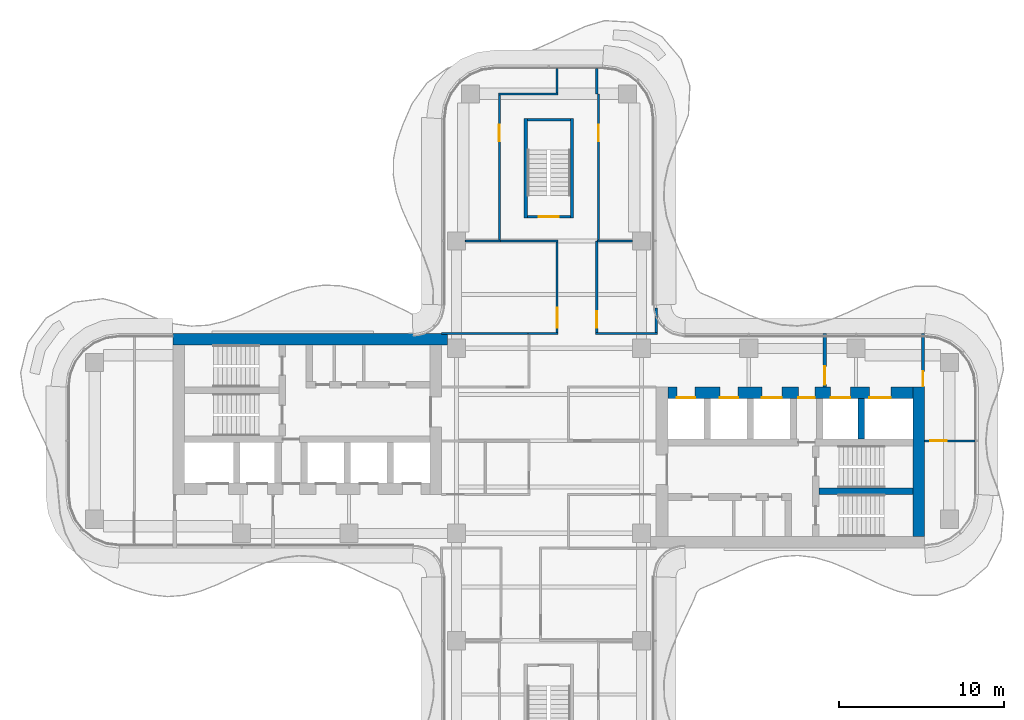
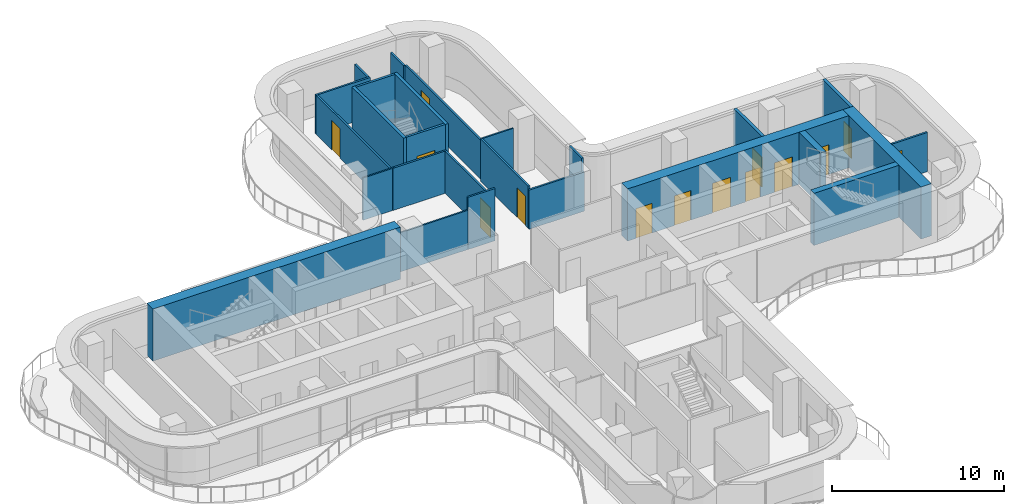
# One storey, part 14 of 17: 26 walls, 14 doors, 14 openings.
"""IFC4 building model written with IfcOpenShell, lengths in metres."""

from ifc_helpers import new_model, si_unit, direction, frame, frame_2d, origin, place, context, subcontext, project, spatial, rectangle, extrude, source, transform, mapped, material, layer, layer_set, type_object, element, fill, save


model = new_model("IFC4")

# Units and contexts
model_context = context("Model", 3, precision=1e-05, world=origin(), true_north=direction((0.0, 1.0)))
body_context = subcontext(model_context, "Body", "Model", "MODEL_VIEW")
ifc_project = project(units=[si_unit("LENGTHUNIT", "METRE"), si_unit("AREAUNIT", "SQUARE_METRE"), si_unit("VOLUMEUNIT", "CUBIC_METRE"), si_unit("PLANEANGLEUNIT", "RADIAN"), si_unit("MASSUNIT", "GRAM", prefix="KILO")], contexts=[model_context])

# Site, building, storey
site_placement = place(None, origin())
site = spatial("IfcSite", under=ifc_project, at=site_placement, CompositionType="ELEMENT")
building_placement = place(site_placement, origin())
building = spatial("IfcBuilding", under=site, at=building_placement, Name="Trellis Farm Tower", CompositionType="ELEMENT")
storey_placement = place(building_placement, frame((0.0, 0.0, 236.300048828125)))
storey = spatial("IfcBuildingStorey", under=building, at=storey_placement, Name="L52", CompositionType="ELEMENT", Elevation=236.300048828125)

# Walls
ifc_material_1 = material(Name="Concrete C60/75", Category="concrete")
ifc_layer_1 = layer(ifc_material_1, 0.699951171875)
ifc_layer_set_1 = layer_set([ifc_layer_1], Name="CORE OUTER WALL 700 CONCRETE C60/75")
wall_type_1 = type_object("IfcWallType", Name="CORE OUTER WALL 700 CONCRETE C60/75", PredefinedType="SHEAR", material=ifc_layer_set_1)
shared_shape_1 = source(origin(), body_context, "Body", "SweptSolid", [
    extrude(rectangle(XDim=9.050048828125, YDim=0.699951171875, at=frame_2d((4.52490234375, 0.0))), origin(), (0.0, 0.0, 1.0), 3.699951171875),
])
wall_1_placement = place(storey_placement, frame((22.39990234375, -5.800048828125, 0.0), z_axis=(0.0, 0.0, 1.0), x_axis=(0.0, 1.0, 0.0)))
element("IfcWall", 1, at=wall_1_placement, inside=storey, type_object=wall_type_1, Name="Core wall", PredefinedType="SHEAR", context=body_context, shape_type="MappedRepresentation", body=[
    mapped(shared_shape_1, transform((0.0, 0.0, 0.0))),
])
ifc_layer_2 = layer(ifc_material_1, 0.39990234375)
ifc_layer_set_2 = layer_set([ifc_layer_2], Name="CORE INNER WALL 400 CONCRETE C60/75")
wall_type_2 = type_object("IfcWallType", Name="CORE INNER WALL 400 CONCRETE C60/75", PredefinedType="SHEAR", material=ifc_layer_set_2)
shared_shape_2 = source(origin(), body_context, "Body", "SweptSolid", [
    extrude(rectangle(XDim=2.449951171875, YDim=0.39990234375, at=frame_2d((1.22509765625, 0.0))), origin(), (0.0, 0.0, 1.0), 3.699951171875),
])
wall_2_placement = place(storey_placement, frame((18.89990234375, 0.10009765625, 0.0), z_axis=(0.0, 0.0, 1.0), x_axis=(0.0, 1.0, 0.0)))
element("IfcWall", 2, at=wall_2_placement, inside=storey, type_object=wall_type_2, Name="Core wall", PredefinedType="SHEAR", context=body_context, shape_type="MappedRepresentation", body=[
    mapped(shared_shape_2, transform((0.0, 0.0, 0.0))),
])

# Wall, opening, door
ifc_material_2 = material(Name="Masonry blockwork", Category="masonry")
ifc_layer_3 = layer(ifc_material_2, 0.199951171875)
ifc_layer_set_3 = layer_set([ifc_layer_3], Name="FIRE LOBBY PARTITION 200 BLOCKWORK")
wall_type_3 = type_object("IfcWallType", Name="FIRE LOBBY PARTITION 200 BLOCKWORK", PredefinedType="PARTITIONING", material=ifc_layer_set_3)
shared_shape_3 = source(origin(), body_context, "Body", "SweptSolid", [
    extrude(rectangle(XDim=3.25, YDim=0.199951171875, at=frame_2d((1.625, 0.0))), origin(), (0.0, 0.0, 1.0), 3.699951171875),
])
wall_3_placement = place(storey_placement, frame((16.699951171875, 3.25, 0.0), z_axis=(0.0, 0.0, 1.0), x_axis=(0.0, 1.0, 0.0)))
wall_3 = element("IfcWall", 3, at=wall_3_placement, inside=storey, type_object=wall_type_3, Name="Fire-fighting lobby partition", PredefinedType="PARTITIONING", context=body_context, shape_type="MappedRepresentation", body=[
    mapped(shared_shape_3, transform((0.0, 0.0, 0.0))),
])
shared_shape_4 = source(origin(), body_context, "Body", "SweptSolid", [
    extrude(rectangle(XDim=1.10009765625, YDim=2.10009765625, at=frame_2d((0.550048828125, 1.050048828125))), frame((0.0, 0.110107421875, 0.0), z_axis=(0.0, -1.0, 0.0), x_axis=(1.0, 0.0, 0.0)), (0.0, 0.0, 1.0), 0.22021484375),
])
opening_1_placement = place(wall_3_placement, frame((0.14990234375, 0.0, 0.0)))
opening_1 = element("IfcOpeningElement", 4, at=opening_1_placement, cuts=wall_3, Name="Opening DC7", PredefinedType="OPENING", context=body_context, shape_type="MappedRepresentation", body=[
    mapped(shared_shape_4, transform((0.0, 0.0, 0.0))),
])
ifc_material_3 = material(Name="Steel", Category="steel")
door_type_1 = type_object("IfcDoorType", Name="CORE FIRE DOOR 1100 X 2100", OperationType="NOTDEFINED", PredefinedType="DOOR", material=ifc_material_3)
shared_shape_5 = source(origin(), body_context, "Body", "SweptSolid", [
    extrude(rectangle(XDim=1.10009765625, YDim=2.10009765625, at=frame_2d((0.550048828125, 1.050048828125))), frame((0.0, 0.02490234375, 0.0), z_axis=(0.0, -1.0, 0.0), x_axis=(1.0, 0.0, 0.0)), (0.0, 0.0, 1.0), 0.050048828125),
])
door_1_placement = place(opening_1_placement, origin())
door_1 = element("IfcDoor", 5, at=door_1_placement, inside=storey, type_object=door_type_1, Name="Core door", OperationType="SINGLE_SWING_RIGHT", OverallHeight=2.10009765625, OverallWidth=1.10009765625, PredefinedType="DOOR", context=body_context, shape_type="MappedRepresentation", body=[
    mapped(shared_shape_5, transform((0.0, 0.0, 0.0))),
])
fill(opening_1, door_1)

wall_4_placement = place(storey_placement, frame((22.64990234375, 3.25, 0.0), z_axis=(0.0, 0.0, 1.0), x_axis=(0.0, 1.0, 0.0)))
wall_4 = element("IfcWall", 6, at=wall_4_placement, inside=storey, type_object=wall_type_3, Name="Fire-fighting lobby partition", PredefinedType="PARTITIONING", context=body_context, shape_type="MappedRepresentation", body=[
    mapped(shared_shape_3, transform((0.0, 0.0, 0.0))),
])
shared_shape_6 = source(origin(), body_context, "Body", "SweptSolid", [
    extrude(rectangle(XDim=0.89990234375, YDim=2.10009765625, at=frame_2d((0.449951171875, 1.050048828125))), frame((0.0, 0.110107421875, 0.0), z_axis=(0.0, -1.0, 0.0), x_axis=(1.0, 0.0, 0.0)), (0.0, 0.0, 1.0), 0.22021484375),
])
opening_2_placement = place(wall_4_placement, frame((0.050048828125, 0.0, 0.0)))
opening_2 = element("IfcOpeningElement", 7, at=opening_2_placement, cuts=wall_4, Name="Opening DC8", PredefinedType="OPENING", context=body_context, shape_type="MappedRepresentation", body=[
    mapped(shared_shape_6, transform((0.0, 0.0, 0.0))),
])
door_type_2 = type_object("IfcDoorType", Name="CORE FIRE DOOR 900 X 2100", OperationType="NOTDEFINED", PredefinedType="DOOR", material=ifc_material_3)
shared_shape_7 = source(origin(), body_context, "Body", "SweptSolid", [
    extrude(rectangle(XDim=0.89990234375, YDim=2.10009765625, at=frame_2d((0.449951171875, 1.050048828125))), frame((0.0, 0.02490234375, 0.0), z_axis=(0.0, -1.0, 0.0), x_axis=(1.0, 0.0, 0.0)), (0.0, 0.0, 1.0), 0.050048828125),
])
door_2_placement = place(opening_2_placement, origin())
door_2 = element("IfcDoor", 8, at=door_2_placement, inside=storey, type_object=door_type_2, Name="Core door", OperationType="SINGLE_SWING_RIGHT", OverallHeight=2.10009765625, OverallWidth=0.89990234375, PredefinedType="DOOR", context=body_context, shape_type="MappedRepresentation", body=[
    mapped(shared_shape_7, transform((0.0, 0.0, 0.0))),
])
fill(opening_2, door_2)

# Wall, openings, doors
shared_shape_8 = source(origin(), body_context, "Body", "SweptSolid", [
    extrude(rectangle(XDim=14.85009765625, YDim=0.699951171875, at=frame_2d((7.425048828125, 0.0))), origin(), (0.0, 0.0, 1.0), 3.699951171875),
])
wall_5_placement = place(storey_placement, frame((7.199951171875, 2.89990234375, 0.0), z_axis=(0.0, 0.0, 1.0), x_axis=(1.0, 0.0, 0.0)))
wall_5 = element("IfcWall", 9, at=wall_5_placement, inside=storey, type_object=wall_type_1, Name="Core wall", PredefinedType="SHEAR", context=body_context, shape_type="MappedRepresentation", body=[
    mapped(shared_shape_8, transform((0.0, 0.0, 0.0))),
])
shared_shape_9 = source(origin(), body_context, "Body", "SweptSolid", [
    extrude(rectangle(XDim=1.10009765625, YDim=2.10009765625, at=frame_2d((0.550048828125, 1.050048828125))), frame((0.0, 0.360107421875, 0.0), z_axis=(0.0, -1.0, 0.0), x_axis=(1.0, 0.0, 0.0)), (0.0, 0.0, 1.0), 0.72021484375),
])
opening_3_placement = place(wall_5_placement, frame((0.550048828125, 0.0, 0.0)))
opening_3 = element("IfcOpeningElement", 10, at=opening_3_placement, cuts=wall_5, Name="Opening LD4", PredefinedType="OPENING", context=body_context, shape_type="MappedRepresentation", body=[
    mapped(shared_shape_9, transform((0.0, 0.0, 0.0))),
])
opening_4_placement = place(wall_5_placement, frame((3.14990234375, 0.0, 0.0)))
opening_4 = element("IfcOpeningElement", 11, at=opening_4_placement, cuts=wall_5, Name="Opening LD5", PredefinedType="OPENING", context=body_context, shape_type="MappedRepresentation", body=[
    mapped(shared_shape_9, transform((0.0, 0.0, 0.0))),
])
shared_shape_10 = source(origin(), body_context, "Body", "SweptSolid", [
    extrude(rectangle(XDim=1.199951171875, YDim=2.10009765625, at=frame_2d((0.60009765625, 1.050048828125))), frame((0.0, 0.360107421875, 0.0), z_axis=(0.0, -1.0, 0.0), x_axis=(1.0, 0.0, 0.0)), (0.0, 0.0, 1.0), 0.72021484375),
])
opening_5_placement = place(wall_5_placement, frame((5.699951171875, 0.0, 0.0)))
opening_5 = element("IfcOpeningElement", 12, at=opening_5_placement, cuts=wall_5, Name="Opening LD6", PredefinedType="OPENING", context=body_context, shape_type="MappedRepresentation", body=[
    mapped(shared_shape_10, transform((0.0, 0.0, 0.0))),
])
shared_shape_11 = source(origin(), body_context, "Body", "SweptSolid", [
    extrude(rectangle(XDim=1.300048828125, YDim=2.10009765625, at=frame_2d((0.64990234375, 1.050048828125))), frame((0.0, 0.360107421875, 0.0), z_axis=(0.0, -1.0, 0.0), x_axis=(1.0, 0.0, 0.0)), (0.0, 0.0, 1.0), 0.72021484375),
])
opening_6_placement = place(wall_5_placement, frame((12.199951171875, 0.0, 0.0)))
opening_6 = element("IfcOpeningElement", 13, at=opening_6_placement, cuts=wall_5, Name="Opening LD7", PredefinedType="OPENING", context=body_context, shape_type="MappedRepresentation", body=[
    mapped(shared_shape_11, transform((0.0, 0.0, 0.0))),
])
opening_7_placement = place(wall_5_placement, frame((9.85009765625, 0.0, 0.0)))
opening_7 = element("IfcOpeningElement", 14, at=opening_7_placement, cuts=wall_5, Name="Opening LD8", PredefinedType="OPENING", context=body_context, shape_type="MappedRepresentation", body=[
    mapped(shared_shape_10, transform((0.0, 0.0, 0.0))),
])
shared_shape_12 = source(origin(), body_context, "Body", "SweptSolid", [
    extrude(rectangle(XDim=1.0, YDim=2.10009765625, at=frame_2d((0.5, 1.050048828125))), frame((0.0, 0.360107421875, 0.0), z_axis=(0.0, -1.0, 0.0), x_axis=(1.0, 0.0, 0.0)), (0.0, 0.0, 1.0), 0.72021484375),
])
opening_8_placement = place(wall_5_placement, frame((7.89990234375, 0.0, 0.0)))
opening_8 = element("IfcOpeningElement", 15, at=opening_8_placement, cuts=wall_5, Name="Opening DC6", PredefinedType="OPENING", context=body_context, shape_type="MappedRepresentation", body=[
    mapped(shared_shape_12, transform((0.0, 0.0, 0.0))),
])
door_type_3 = type_object("IfcDoorType", Name="CORE FIRE DOOR 1000 X 2100", OperationType="NOTDEFINED", PredefinedType="DOOR", material=ifc_material_3)
shared_shape_13 = source(origin(), body_context, "Body", "SweptSolid", [
    extrude(rectangle(XDim=1.0, YDim=2.10009765625, at=frame_2d((0.5, 1.050048828125))), frame((0.0, -0.27490234375, 0.0), z_axis=(0.0, -1.0, 0.0), x_axis=(1.0, 0.0, 0.0)), (0.0, 0.0, 1.0), 0.050048828125),
])
door_3_placement = place(opening_8_placement, origin())
door_3 = element("IfcDoor", 16, at=door_3_placement, inside=storey, type_object=door_type_3, Name="Core door", OperationType="SINGLE_SWING_LEFT", OverallHeight=2.10009765625, OverallWidth=1.0, PredefinedType="DOOR", context=body_context, shape_type="MappedRepresentation", body=[
    mapped(shared_shape_13, transform((0.0, 0.0, 0.0))),
])
fill(opening_8, door_3)
ifc_material_4 = material(Name="Stainless steel", Category="steel")
door_type_4 = type_object("IfcDoorType", Name="LIFT LANDING DOOR 1300 X 2100", OperationType="DOUBLE_DOOR_SLIDING", PredefinedType="DOOR", material=ifc_material_4)
shared_shape_14 = source(origin(), body_context, "Body", "SweptSolid", [
    extrude(rectangle(XDim=1.300048828125, YDim=2.10009765625, at=frame_2d((0.64990234375, 1.050048828125))), frame((0.0, -0.27490234375, 0.0), z_axis=(0.0, -1.0, 0.0), x_axis=(1.0, 0.0, 0.0)), (0.0, 0.0, 1.0), 0.050048828125),
])
door_4_placement = place(opening_6_placement, origin())
door_4 = element("IfcDoor", 17, at=door_4_placement, inside=storey, type_object=door_type_4, Name="Lift landing door", OperationType="DOUBLE_DOOR_SLIDING", OverallHeight=2.10009765625, OverallWidth=1.300048828125, PredefinedType="DOOR", context=body_context, shape_type="MappedRepresentation", body=[
    mapped(shared_shape_14, transform((0.0, 0.0, 0.0))),
])
fill(opening_6, door_4)
door_type_5 = type_object("IfcDoorType", Name="LIFT LANDING DOOR 1200 X 2100", OperationType="DOUBLE_DOOR_SLIDING", PredefinedType="DOOR", material=ifc_material_4)
shared_shape_15 = source(origin(), body_context, "Body", "SweptSolid", [
    extrude(rectangle(XDim=1.199951171875, YDim=2.10009765625, at=frame_2d((0.60009765625, 1.050048828125))), frame((0.0, -0.27490234375, 0.0), z_axis=(0.0, -1.0, 0.0), x_axis=(1.0, 0.0, 0.0)), (0.0, 0.0, 1.0), 0.050048828125),
])
door_5_placement = place(opening_5_placement, origin())
door_5 = element("IfcDoor", 18, at=door_5_placement, inside=storey, type_object=door_type_5, Name="Lift landing door", OperationType="DOUBLE_DOOR_SLIDING", OverallHeight=2.10009765625, OverallWidth=1.199951171875, PredefinedType="DOOR", context=body_context, shape_type="MappedRepresentation", body=[
    mapped(shared_shape_15, transform((0.0, 0.0, 0.0))),
])
fill(opening_5, door_5)
door_6_placement = place(opening_7_placement, origin())
door_6 = element("IfcDoor", 19, at=door_6_placement, inside=storey, type_object=door_type_5, Name="Lift landing door", OperationType="DOUBLE_DOOR_SLIDING", OverallHeight=2.10009765625, OverallWidth=1.199951171875, PredefinedType="DOOR", context=body_context, shape_type="MappedRepresentation", body=[
    mapped(shared_shape_15, transform((0.0, 0.0, 0.0))),
])
fill(opening_7, door_6)
door_type_6 = type_object("IfcDoorType", Name="LIFT LANDING DOOR 1100 X 2100", OperationType="DOUBLE_DOOR_SLIDING", PredefinedType="DOOR", material=ifc_material_4)
shared_shape_16 = source(origin(), body_context, "Body", "SweptSolid", [
    extrude(rectangle(XDim=1.10009765625, YDim=2.10009765625, at=frame_2d((0.550048828125, 1.050048828125))), frame((0.0, -0.27490234375, 0.0), z_axis=(0.0, -1.0, 0.0), x_axis=(1.0, 0.0, 0.0)), (0.0, 0.0, 1.0), 0.050048828125),
])
door_7_placement = place(opening_3_placement, origin())
door_7 = element("IfcDoor", 20, at=door_7_placement, inside=storey, type_object=door_type_6, Name="Lift landing door", OperationType="DOUBLE_DOOR_SLIDING", OverallHeight=2.10009765625, OverallWidth=1.10009765625, PredefinedType="DOOR", context=body_context, shape_type="MappedRepresentation", body=[
    mapped(shared_shape_16, transform((0.0, 0.0, 0.0))),
])
fill(opening_3, door_7)
door_8_placement = place(opening_4_placement, origin())
door_8 = element("IfcDoor", 21, at=door_8_placement, inside=storey, type_object=door_type_6, Name="Lift landing door", OperationType="DOUBLE_DOOR_SLIDING", OverallHeight=2.10009765625, OverallWidth=1.10009765625, PredefinedType="DOOR", context=body_context, shape_type="MappedRepresentation", body=[
    mapped(shared_shape_16, transform((0.0, 0.0, 0.0))),
])
fill(opening_4, door_8)

# Walls
shared_shape_17 = source(origin(), body_context, "Body", "SweptSolid", [
    extrude(rectangle(XDim=5.699951171875, YDim=0.39990234375, at=frame_2d((2.85009765625, 0.0))), origin(), (0.0, 0.0, 1.0), 3.699951171875),
])
wall_6_placement = place(storey_placement, frame((16.35009765625, -3.050048828125, 0.0), z_axis=(0.0, 0.0, 1.0), x_axis=(1.0, 0.0, 0.0)))
element("IfcWall", 22, at=wall_6_placement, inside=storey, type_object=wall_type_2, Name="Core wall", PredefinedType="SHEAR", context=body_context, shape_type="MappedRepresentation", body=[
    mapped(shared_shape_17, transform((0.0, 0.0, 0.0))),
])
shared_shape_18 = source(origin(), body_context, "Body", "SweptSolid", [
    extrude(rectangle(XDim=16.60009765625, YDim=0.699951171875, at=frame_2d((8.300048828125, 0.0))), origin(), (0.0, 0.0, 1.0), 3.699951171875),
])
wall_7_placement = place(storey_placement, frame((-6.14990234375, 6.14990234375, 0.0), z_axis=(0.0, 0.0, 1.0), x_axis=(-1.0, 0.0, 0.0)))
element("IfcWall", 23, at=wall_7_placement, inside=storey, type_object=wall_type_1, Name="Core wall", PredefinedType="SHEAR", context=body_context, shape_type="MappedRepresentation", body=[
    mapped(shared_shape_18, transform((0.0, 0.0, 0.0))),
])
ifc_layer_4 = layer(ifc_material_1, 0.199951171875)
ifc_layer_set_4 = layer_set([ifc_layer_4], Name="CORE STAIR ENCLOSURE WALL 200 CONCRETE C60/75")
wall_type_4 = type_object("IfcWallType", Name="CORE STAIR ENCLOSURE WALL 200 CONCRETE C60/75", PredefinedType="SHEAR", material=ifc_layer_set_4)
shared_shape_19 = source(origin(), body_context, "Body", "SweptSolid", [
    extrude(rectangle(XDim=6.0, YDim=0.199951171875, at=frame_2d((3.0, 0.0))), origin(), (0.0, 0.0, 1.0), 3.699951171875),
])
for number, where, z_axis, x_axis, name in (
    (24, (-1.39990234375, 13.5, 0.0), (0.0, 0.0, 1.0), (0.0, 1.0, 0.0), "Stair enclosure wall"),
    (25, (1.39990234375, 13.5, 0.0), (0.0, 0.0, 1.0), (0.0, 1.0, 0.0), "Stair enclosure wall"),
):
    element("IfcWall", number, at=place(storey_placement, frame(where, z_axis=z_axis, x_axis=x_axis)), inside=storey, type_object=wall_type_4, Name=name, PredefinedType="SHEAR", context=body_context, shape_type="MappedRepresentation", body=[
        mapped(shared_shape_19, transform((0.0, 0.0, 0.0))),
    ])

# Wall, opening, door
ifc_layer_5 = layer(ifc_material_1, 0.14990234375)
ifc_layer_set_5 = layer_set([ifc_layer_5], Name="CORE STAIR ENCLOSURE WALL 150 CONCRETE C60/75")
wall_type_5 = type_object("IfcWallType", Name="CORE STAIR ENCLOSURE WALL 150 CONCRETE C60/75", PredefinedType="SHEAR", material=ifc_layer_set_5)
shared_shape_20 = source(origin(), body_context, "Body", "SweptSolid", [
    extrude(rectangle(XDim=2.60009765625, YDim=0.14990234375, at=frame_2d((1.300048828125, 0.0))), origin(), (0.0, 0.0, 1.0), 3.699951171875),
])
wall_8_placement = place(storey_placement, frame((-1.300048828125, 13.574951171875, 0.0), z_axis=(0.0, 0.0, 1.0), x_axis=(1.0, 0.0, 0.0)))
wall_8 = element("IfcWall", 26, at=wall_8_placement, inside=storey, type_object=wall_type_5, Name="Stair enclosure wall", PredefinedType="SHEAR", context=body_context, shape_type="MappedRepresentation", body=[
    mapped(shared_shape_20, transform((0.0, 0.0, 0.0))),
])
shared_shape_21 = source(origin(), body_context, "Body", "SweptSolid", [
    extrude(rectangle(XDim=1.199951171875, YDim=2.10009765625, at=frame_2d((0.60009765625, 1.050048828125))), frame((0.0, 0.0849609375, 0.0), z_axis=(0.0, -1.0, 0.0), x_axis=(1.0, 0.0, 0.0)), (0.0, 0.0, 1.0), 0.169921875),
])
opening_9_placement = place(wall_8_placement, frame((0.699951171875, 0.0, 0.0)))
opening_9 = element("IfcOpeningElement", 27, at=opening_9_placement, cuts=wall_8, Name="Opening DC173", PredefinedType="OPENING", context=body_context, shape_type="MappedRepresentation", body=[
    mapped(shared_shape_21, transform((0.0, 0.0, 0.0))),
])
door_type_7 = type_object("IfcDoorType", Name="CORE FIRE DOOR 1200 X 2100", OperationType="NOTDEFINED", PredefinedType="DOOR", material=ifc_material_3)
shared_shape_22 = source(origin(), body_context, "Body", "SweptSolid", [
    extrude(rectangle(XDim=1.199951171875, YDim=2.10009765625, at=frame_2d((0.60009765625, 1.050048828125))), frame((0.0, 0.02490234375, 0.0), z_axis=(0.0, -1.0, 0.0), x_axis=(1.0, 0.0, 0.0)), (0.0, 0.0, 1.0), 0.050048828125),
])
door_9_placement = place(opening_9_placement, origin())
door_9 = element("IfcDoor", 28, at=door_9_placement, inside=storey, type_object=door_type_7, Name="Core door", OperationType="SINGLE_SWING_LEFT", OverallHeight=2.10009765625, OverallWidth=1.199951171875, PredefinedType="DOOR", context=body_context, shape_type="MappedRepresentation", body=[
    mapped(shared_shape_22, transform((0.0, 0.0, 0.0))),
])
fill(opening_9, door_9)

# Walls
wall_9_placement = place(storey_placement, frame((-1.300048828125, 19.425048828125, 0.0), z_axis=(0.0, 0.0, 1.0), x_axis=(1.0, 0.0, 0.0)))
element("IfcWall", 29, at=wall_9_placement, inside=storey, type_object=wall_type_5, Name="Stair enclosure wall", PredefinedType="SHEAR", context=body_context, shape_type="MappedRepresentation", body=[
    mapped(shared_shape_20, transform((0.0, 0.0, 0.0))),
])
ifc_material_5 = material(Name="Plasterboard on steel studs, mineral wool", Category="steel")
ifc_layer_6 = layer(ifc_material_5, 0.125)
ifc_layer_set_6 = layer_set([ifc_layer_6], Name="PARTITION 125 STUD EI 60")
wall_type_6 = type_object("IfcWallType", Name="PARTITION 125 STUD EI 60", PredefinedType="PARTITIONING", material=ifc_layer_set_6)
shared_shape_23 = source(origin(), body_context, "Body", "SweptSolid", [
    extrude(rectangle(XDim=1.468994140625, YDim=0.125, at=frame_2d((0.734375, 0.0))), origin(), (0.0, 0.0, 1.0), 3.699951171875),
])
wall_10_placement = place(storey_placement, frame((6.5, 6.5625, 0.0), z_axis=(0.0, 0.0, 1.0), x_axis=(0.0, 1.0, 0.0)))
element("IfcWall", 30, at=wall_10_placement, inside=storey, type_object=wall_type_6, Name="Partition PW1", PredefinedType="PARTITIONING", context=body_context, shape_type="MappedRepresentation", body=[
    mapped(shared_shape_23, transform((0.0, 0.0, 0.0))),
])
ifc_material_6 = material(Name="Plasterboard on steel studs", Category="steel")
ifc_layer_7 = layer(ifc_material_6, 0.10009765625)
ifc_layer_set_7 = layer_set([ifc_layer_7], Name="PARTITION 100 STUD EI 30")
wall_type_7 = type_object("IfcWallType", Name="PARTITION 100 STUD EI 30", PredefinedType="PARTITIONING", material=ifc_layer_set_7)
shared_shape_24 = source(origin(), body_context, "Body", "SweptSolid", [
    extrude(rectangle(XDim=5.362548828125, YDim=0.10009765625, at=frame_2d((2.68115234375, 0.0))), origin(), (0.0, 0.0, 1.0), 2.780029296875),
])
wall_11_placement = place(storey_placement, frame((-6.5, 6.5, 0.0), z_axis=(0.0, 0.0, 1.0), x_axis=(1.0, 0.0, 0.0)))
element("IfcWall", 31, at=wall_11_placement, inside=storey, type_object=wall_type_7, Name="Partition PW2", PredefinedType="PARTITIONING", context=body_context, shape_type="MappedRepresentation", body=[
    mapped(shared_shape_24, transform((0.0, 0.0, 0.0))),
])
shared_shape_25 = source(origin(), body_context, "Body", "SweptSolid", [
    extrude(rectangle(XDim=1.824951171875, YDim=0.125, at=frame_2d((0.91259765625, 0.0))), origin(), (0.0, 0.0, 1.0), 3.699951171875),
])
wall_12_placement = place(storey_placement, frame((-1.262451171875, 6.5, 0.0), z_axis=(0.0, 0.0, 1.0), x_axis=(1.0, 0.0, 0.0)))
element("IfcWall", 32, at=wall_12_placement, inside=storey, type_object=wall_type_6, Name="Partition PW1", PredefinedType="PARTITIONING", context=body_context, shape_type="MappedRepresentation", body=[
    mapped(shared_shape_25, transform((0.0, 0.0, 0.0))),
])
shared_shape_26 = source(origin(), body_context, "Body", "SweptSolid", [
    extrude(rectangle(XDim=3.72509765625, YDim=0.125, at=frame_2d((1.862548828125, 0.0))), origin(), (0.0, 0.0, 1.0), 2.780029296875),
])
wall_13_placement = place(storey_placement, frame((2.83740234375, 6.5, 0.0), z_axis=(0.0, 0.0, 1.0), x_axis=(1.0, 0.0, 0.0)))
element("IfcWall", 33, at=wall_13_placement, inside=storey, type_object=wall_type_6, Name="Partition PW1", PredefinedType="PARTITIONING", context=body_context, shape_type="MappedRepresentation", body=[
    mapped(shared_shape_26, transform((0.0, 0.0, 0.0))),
])

# Wall, opening, door
shared_shape_27 = source(origin(), body_context, "Body", "SweptSolid", [
    extrude(rectangle(XDim=5.47509765625, YDim=0.125, at=frame_2d((2.737548828125, 0.0))), origin(), (0.0, 0.0, 1.0), 2.996337890625),
])
wall_14_placement = place(storey_placement, frame((0.5, 12.03759765625, 0.0), z_axis=(0.0, 0.0, 1.0), x_axis=(0.0, -1.0, 0.0)))
wall_14 = element("IfcWall", 34, at=wall_14_placement, inside=storey, type_object=wall_type_6, Name="Partition PW1", PredefinedType="PARTITIONING", context=body_context, shape_type="MappedRepresentation", body=[
    mapped(shared_shape_27, transform((0.0, 0.0, 0.0))),
])
shared_shape_28 = source(origin(), body_context, "Body", "SweptSolid", [
    extrude(rectangle(XDim=1.199951171875, YDim=2.10009765625, at=frame_2d((0.60009765625, 1.050048828125))), frame((0.0, 0.072509765625, 0.0), z_axis=(0.0, -1.0, 0.0), x_axis=(1.0, 0.0, 0.0)), (0.0, 0.0, 1.0), 0.14501953125),
])
opening_10_placement = place(wall_14_placement, frame((3.987548828125, 0.0, 0.0)))
opening_10 = element("IfcOpeningElement", 35, at=opening_10_placement, cuts=wall_14, Name="Opening D602", PredefinedType="OPENING", context=body_context, shape_type="MappedRepresentation", body=[
    mapped(shared_shape_28, transform((0.0, 0.0, 0.0))),
])
ifc_material_7 = material(Name="Fire-rated timber door leaf in a hollow metal frame", Category="wood")
door_type_8 = type_object("IfcDoorType", Name="DOOR 1200x2100 FD30S", OperationType="NOTDEFINED", PredefinedType="DOOR", material=ifc_material_7)
door_10_placement = place(opening_10_placement, origin())
door_10 = element("IfcDoor", 36, at=door_10_placement, inside=storey, type_object=door_type_8, Name="Door D602", OperationType="SINGLE_SWING_RIGHT", OverallHeight=2.10009765625, OverallWidth=1.199951171875, PredefinedType="DOOR", context=body_context, shape_type="MappedRepresentation", body=[
    mapped(shared_shape_22, transform((0.0, 0.0, 0.0))),
])
fill(opening_10, door_10)

shared_shape_29 = source(origin(), body_context, "Body", "SweptSolid", [
    extrude(rectangle(XDim=5.53759765625, YDim=0.125, at=frame_2d((2.768798828125, 0.0))), origin(), (0.0, 0.0, 1.0), 2.996337890625),
])
wall_15_placement = place(storey_placement, frame((2.89990234375, 12.10009765625, 0.0), z_axis=(0.0, 0.0, 1.0), x_axis=(0.0, -1.0, 0.0)))
wall_15 = element("IfcWall", 37, at=wall_15_placement, inside=storey, type_object=wall_type_6, Name="Partition PW1", PredefinedType="PARTITIONING", context=body_context, shape_type="MappedRepresentation", body=[
    mapped(shared_shape_29, transform((0.0, 0.0, 0.0))),
])
shared_shape_30 = source(origin(), body_context, "Body", "SweptSolid", [
    extrude(rectangle(XDim=1.0, YDim=2.10009765625, at=frame_2d((0.5, 1.050048828125))), frame((0.0, 0.072509765625, 0.0), z_axis=(0.0, -1.0, 0.0), x_axis=(1.0, 0.0, 0.0)), (0.0, 0.0, 1.0), 0.14501953125),
])
opening_11_placement = place(wall_15_placement, frame((4.25, 0.0, 0.0)))
opening_11 = element("IfcOpeningElement", 38, at=opening_11_placement, cuts=wall_15, Name="Opening D109", PredefinedType="OPENING", context=body_context, shape_type="MappedRepresentation", body=[
    mapped(shared_shape_30, transform((0.0, 0.0, 0.0))),
])
door_type_9 = type_object("IfcDoorType", Name="DOOR 1000x2100 FD30S", OperationType="NOTDEFINED", PredefinedType="DOOR", material=ifc_material_7)
shared_shape_31 = source(origin(), body_context, "Body", "SweptSolid", [
    extrude(rectangle(XDim=1.0, YDim=2.10009765625, at=frame_2d((0.5, 1.050048828125))), frame((0.0, 0.02490234375, 0.0), z_axis=(0.0, -1.0, 0.0), x_axis=(1.0, 0.0, 0.0)), (0.0, 0.0, 1.0), 0.050048828125),
])
door_11_placement = place(opening_11_placement, origin())
door_11 = element("IfcDoor", 39, at=door_11_placement, inside=storey, type_object=door_type_9, Name="Door D109", OperationType="SINGLE_SWING_RIGHT", OverallHeight=2.10009765625, OverallWidth=1.0, PredefinedType="DOOR", context=body_context, shape_type="MappedRepresentation", body=[
    mapped(shared_shape_31, transform((0.0, 0.0, 0.0))),
])
fill(opening_11, door_11)

# Walls
shared_shape_32 = source(origin(), body_context, "Body", "SweptSolid", [
    extrude(rectangle(XDim=3.625, YDim=0.125, at=frame_2d((1.8125, 0.0))), origin(), (0.0, 0.0, 1.0), 2.996337890625),
])
wall_16_placement = place(storey_placement, frame((0.5625, 12.10009765625, 0.0), z_axis=(0.0, 0.0, 1.0), x_axis=(-1.0, 0.0, 0.0)))
element("IfcWall", 40, at=wall_16_placement, inside=storey, type_object=wall_type_6, Name="Partition PW1", PredefinedType="PARTITIONING", context=body_context, shape_type="MappedRepresentation", body=[
    mapped(shared_shape_32, transform((0.0, 0.0, 0.0))),
])
shared_shape_33 = source(origin(), body_context, "Body", "SweptSolid", [
    extrude(rectangle(XDim=1.487548828125, YDim=0.125, at=frame_2d((0.74365234375, 0.0))), origin(), (0.0, 0.0, 1.0), 2.780029296875),
])
wall_17_placement = place(storey_placement, frame((0.5, 22.550048828125, 0.0), z_axis=(0.0, 0.0, 1.0), x_axis=(0.0, -1.0, 0.0)))
element("IfcWall", 41, at=wall_17_placement, inside=storey, type_object=wall_type_6, Name="Partition PW1", PredefinedType="PARTITIONING", context=body_context, shape_type="MappedRepresentation", body=[
    mapped(shared_shape_33, transform((0.0, 0.0, 0.0))),
])
shared_shape_34 = source(origin(), body_context, "Body", "SweptSolid", [
    extrude(rectangle(XDim=1.550048828125, YDim=0.125, at=frame_2d((0.77490234375, 0.0))), origin(), (0.0, 0.0, 1.0), 2.780029296875),
])
wall_18_placement = place(storey_placement, frame((2.89990234375, 22.550048828125, 0.0), z_axis=(0.0, 0.0, 1.0), x_axis=(0.0, -1.0, 0.0)))
element("IfcWall", 42, at=wall_18_placement, inside=storey, type_object=wall_type_6, Name="Partition PW1", PredefinedType="PARTITIONING", context=body_context, shape_type="MappedRepresentation", body=[
    mapped(shared_shape_34, transform((0.0, 0.0, 0.0))),
])
shared_shape_35 = source(origin(), body_context, "Body", "SweptSolid", [
    extrude(rectangle(XDim=3.625, YDim=0.125, at=frame_2d((1.8125, 0.0))), origin(), (0.0, 0.0, 1.0), 2.780029296875),
])
wall_19_placement = place(storey_placement, frame((-3.0625, 21.0, 0.0), z_axis=(0.0, 0.0, 1.0), x_axis=(1.0, 0.0, 0.0)))
element("IfcWall", 43, at=wall_19_placement, inside=storey, type_object=wall_type_6, Name="Partition PW1", PredefinedType="PARTITIONING", context=body_context, shape_type="MappedRepresentation", body=[
    mapped(shared_shape_35, transform((0.0, 0.0, 0.0))),
])

# Wall, opening, door
shared_shape_36 = source(origin(), body_context, "Body", "SweptSolid", [
    extrude(rectangle(XDim=8.78759765625, YDim=0.125, at=frame_2d((4.393798828125, 0.0))), origin(), (0.0, 0.0, 1.0), 2.780029296875),
])
wall_20_placement = place(storey_placement, frame((-3.0, 12.14990234375, 0.0), z_axis=(0.0, 0.0, 1.0), x_axis=(0.0, 1.0, 0.0)))
wall_20 = element("IfcWall", 44, at=wall_20_placement, inside=storey, type_object=wall_type_6, Name="Partition PW1", PredefinedType="PARTITIONING", context=body_context, shape_type="MappedRepresentation", body=[
    mapped(shared_shape_36, transform((0.0, 0.0, 0.0))),
])
opening_12_placement = place(wall_20_placement, frame((6.0, 0.0, 0.0)))
opening_12 = element("IfcOpeningElement", 45, at=opening_12_placement, cuts=wall_20, Name="Opening D110", PredefinedType="OPENING", context=body_context, shape_type="MappedRepresentation", body=[
    mapped(shared_shape_30, transform((0.0, 0.0, 0.0))),
])
door_12_placement = place(opening_12_placement, origin())
door_12 = element("IfcDoor", 46, at=door_12_placement, inside=storey, type_object=door_type_9, Name="Door D110", OperationType="SINGLE_SWING_RIGHT", OverallHeight=2.10009765625, OverallWidth=1.0, PredefinedType="DOOR", context=body_context, shape_type="MappedRepresentation", body=[
    mapped(shared_shape_31, transform((0.0, 0.0, 0.0))),
])
fill(opening_12, door_12)

shared_shape_37 = source(origin(), body_context, "Body", "SweptSolid", [
    extrude(rectangle(XDim=3.050048828125, YDim=0.125, at=frame_2d((1.52490234375, 0.0))), origin(), (0.0, 0.0, 1.0), 2.780029296875),
])
wall_21_placement = place(storey_placement, frame((25.800048828125, 0.0, 0.0), z_axis=(0.0, 0.0, 1.0), x_axis=(-1.0, 0.0, 0.0)))
wall_21 = element("IfcWall", 47, at=wall_21_placement, inside=storey, type_object=wall_type_6, Name="Partition PW1", PredefinedType="PARTITIONING", context=body_context, shape_type="MappedRepresentation", body=[
    mapped(shared_shape_37, transform((0.0, 0.0, 0.0))),
])
opening_13_placement = place(wall_21_placement, frame((1.699951171875, 0.0, 0.0)))
opening_13 = element("IfcOpeningElement", 48, at=opening_13_placement, cuts=wall_21, Name="Opening D107", PredefinedType="OPENING", context=body_context, shape_type="MappedRepresentation", body=[
    mapped(shared_shape_30, transform((0.0, 0.0, 0.0))),
])
door_13_placement = place(opening_13_placement, origin())
door_13 = element("IfcDoor", 49, at=door_13_placement, inside=storey, type_object=door_type_9, Name="Door D107", OperationType="SINGLE_SWING_RIGHT", OverallHeight=2.10009765625, OverallWidth=1.0, PredefinedType="DOOR", context=body_context, shape_type="MappedRepresentation", body=[
    mapped(shared_shape_31, transform((0.0, 0.0, 0.0))),
])
fill(opening_13, door_13)

shared_shape_38 = source(origin(), body_context, "Body", "SweptSolid", [
    extrude(rectangle(XDim=8.85009765625, YDim=0.125, at=frame_2d((4.425048828125, 0.0))), origin(), (0.0, 0.0, 1.0), 2.780029296875),
])
wall_22_placement = place(storey_placement, frame((3.0, 21.0, 0.0), z_axis=(0.0, 0.0, 1.0), x_axis=(0.0, -1.0, 0.0)))
wall_22 = element("IfcWall", 50, at=wall_22_placement, inside=storey, type_object=wall_type_6, Name="Partition PW1", PredefinedType="PARTITIONING", context=body_context, shape_type="MappedRepresentation", body=[
    mapped(shared_shape_38, transform((0.0, 0.0, 0.0))),
])
opening_14_placement = place(wall_22_placement, frame((1.85009765625, 0.0, 0.0)))
opening_14 = element("IfcOpeningElement", 51, at=opening_14_placement, cuts=wall_22, Name="Opening D111", PredefinedType="OPENING", context=body_context, shape_type="MappedRepresentation", body=[
    mapped(shared_shape_30, transform((0.0, 0.0, 0.0))),
])
door_14_placement = place(opening_14_placement, origin())
door_14 = element("IfcDoor", 52, at=door_14_placement, inside=storey, type_object=door_type_9, Name="Door D111", OperationType="SINGLE_SWING_LEFT", OverallHeight=2.10009765625, OverallWidth=1.0, PredefinedType="DOOR", context=body_context, shape_type="MappedRepresentation", body=[
    mapped(shared_shape_31, transform((0.0, 0.0, 0.0))),
])
fill(opening_14, door_14)

# Walls
shared_shape_39 = source(origin(), body_context, "Body", "SweptSolid", [
    extrude(rectangle(XDim=2.112548828125, YDim=0.10009765625, at=frame_2d((1.05615234375, 0.0))), origin(), (0.0, 0.0, 1.0), 2.996337890625),
])
for number, where, z_axis, x_axis, name in (
    (53, (-5.050048828125, 12.10009765625, 0.0), (0.0, 0.0, 1.0), (1.0, 0.0, 0.0), "Partition PW2"),
    (54, (2.9375, 12.10009765625, 0.0), (0.0, 0.0, 1.0), (1.0, 0.0, 0.0), "Partition PW2"),
):
    element("IfcWall", number, at=place(storey_placement, frame(where, z_axis=z_axis, x_axis=x_axis)), inside=storey, type_object=wall_type_7, Name=name, PredefinedType="PARTITIONING", context=body_context, shape_type="MappedRepresentation", body=[
        mapped(shared_shape_39, transform((0.0, 0.0, 0.0))),
    ])

save(model, "model.ifc")
